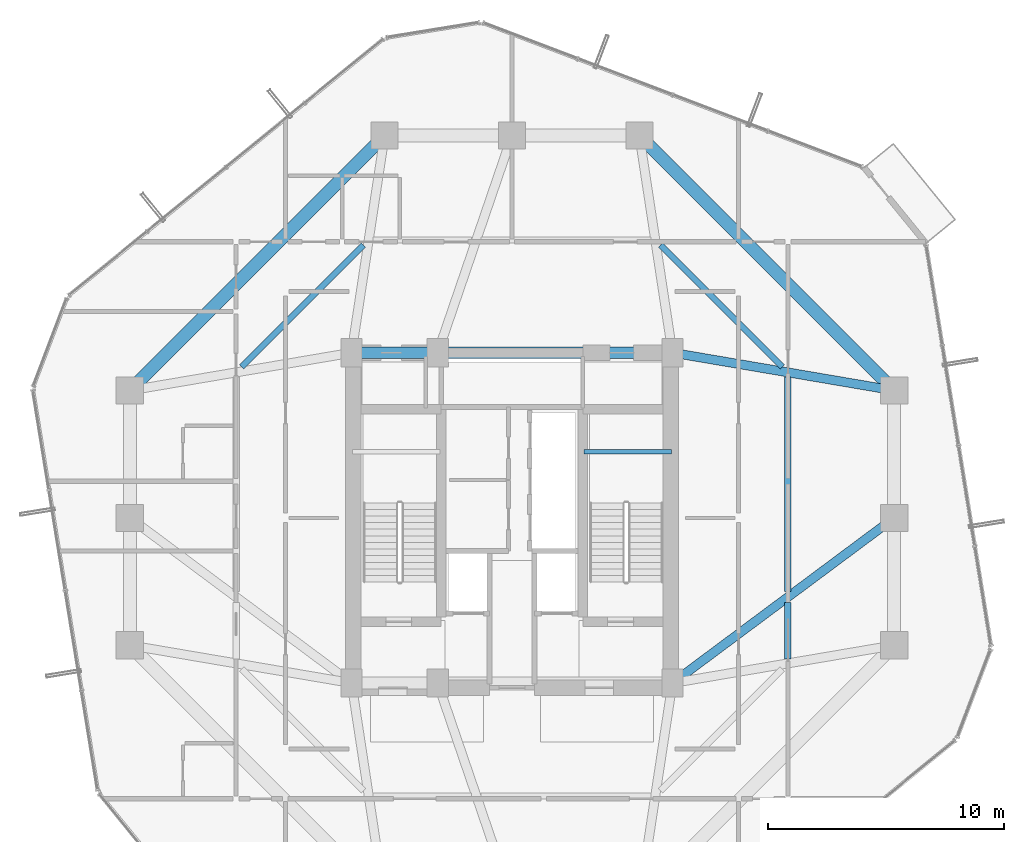
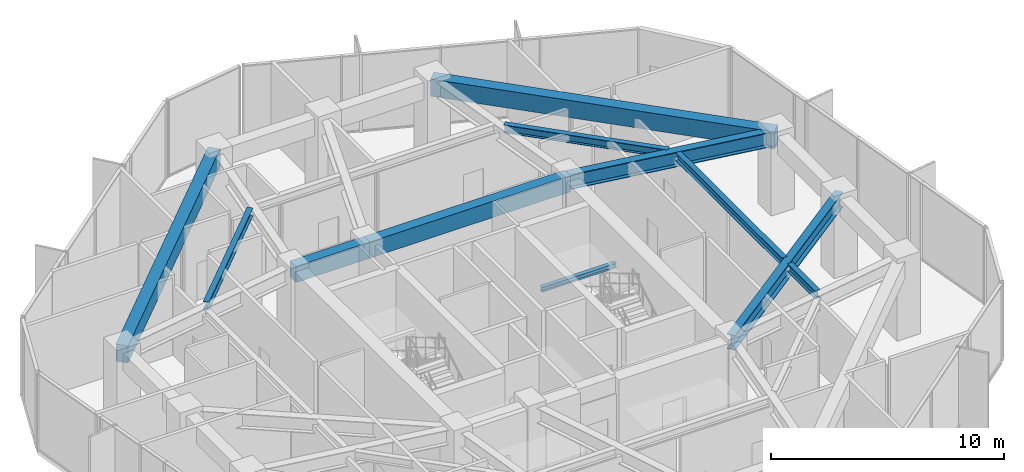
# One storey, part 11 of 26: 11 beams.
"""IFC4 building model written with IfcOpenShell, lengths in metres."""

from ifc_helpers import new_model, si_unit, direction, frame, origin, origin_2d, place, context, subcontext, project, spatial, rectangle, i_section, extrude, material, material_profile, profile_set, type_object, element, save


model = new_model("IFC4")

# Units and contexts
model_context = context("Model", 3, precision=1e-05, world=origin(), true_north=direction((0.0, 1.0)))
body_context = subcontext(model_context, "Body", "Model", "MODEL_VIEW")
ifc_project = project(units=[si_unit("LENGTHUNIT", "METRE"), si_unit("AREAUNIT", "SQUARE_METRE"), si_unit("VOLUMEUNIT", "CUBIC_METRE"), si_unit("PLANEANGLEUNIT", "RADIAN"), si_unit("MASSUNIT", "GRAM", prefix="KILO")], contexts=[model_context])

# Site, building, storey
site_placement = place(None, origin())
site = spatial("IfcSite", under=ifc_project, at=site_placement, CompositionType="ELEMENT")
building_placement = place(site_placement, origin())
building = spatial("IfcBuilding", under=site, at=building_placement, Name="Veraguas Prism Commons", CompositionType="ELEMENT")
storey_placement = place(building_placement, frame((0.0, 0.0, 158.75)))
storey = spatial("IfcBuildingStorey", under=building, at=storey_placement, Name="L45", CompositionType="ELEMENT", Elevation=158.75)

# Beams
ifc_material_1 = material(Name="Steel ASTM A992 Grade 50", Category="steel")
ifc_material_profile_1 = material_profile(ifc_material_1, i_section(OverallWidth=0.382080078125, OverallDepth=0.779052734375, WebThickness=0.01806640625, FlangeThickness=0.030029296875, at=origin_2d()), Name="W760X284")
ifc_profile_set_1 = profile_set([ifc_material_profile_1], Name="Steel ASTM A992 Grade 50")
beam_type_1 = type_object("IfcBeamType", Name="Assembly Primary Girder W760x284", PredefinedType="BEAM", material=ifc_profile_set_1)
beam_1_placement = place(storey_placement, frame((40.199951171875, 24.0, 3.660400390625), z_axis=(-0.802040137921, -0.597270137512, 0.0), x_axis=(0.597270137512, -0.802040137921, 0.0)))
element("IfcBeam", 1, at=beam_1_placement, inside=storey, type_object=beam_type_1, Name="Radial Floor Girder L45-RD02", PredefinedType="BEAM", context=body_context, shape_type="SweptSolid", body=[
    extrude(i_section(OverallWidth=0.382080078125, OverallDepth=0.779052734375, WebThickness=0.01806640625, FlangeThickness=0.030029296875, at=origin_2d()), origin(), (0.0, 0.0, 1.0), 11.719970703125),
])
beam_2_placement = place(storey_placement, frame((40.199951171875, 29.39990234375, 3.660400390625), z_axis=(-0.985819187151, 0.1678109956, 0.0), x_axis=(-0.1678109956, -0.985819187151, 0.0)))
element("IfcBeam", 2, at=beam_2_placement, inside=storey, type_object=beam_type_1, Name="Radial Floor Girder L45-RD03", PredefinedType="BEAM", context=body_context, shape_type="SweptSolid", body=[
    extrude(i_section(OverallWidth=0.382080078125, OverallDepth=0.779052734375, WebThickness=0.01806640625, FlangeThickness=0.030029296875, at=origin_2d()), origin(), (0.0, 0.0, 1.0), 9.53515625),
])
ifc_material_2 = material(Name="Concrete C50/60", Category="concrete")
ifc_material_profile_2 = material_profile(ifc_material_2, rectangle(XDim=0.5, YDim=0.85009765625, at=origin_2d()), Name="RC500X850")
ifc_profile_set_2 = profile_set([ifc_material_profile_2], Name="Concrete C50/60")
beam_type_2 = type_object("IfcBeamType", Name="Core Coupling Beam RC 500x850", PredefinedType="BEAM", material=ifc_profile_set_2)
beam_3_placement = place(storey_placement, frame((17.199951171875, 31.0, 3.625), z_axis=(1.0, 0.0, 0.0), x_axis=(0.0, 1.0, 0.0)))
element("IfcBeam", 3, at=beam_3_placement, inside=storey, type_object=beam_type_2, Name="Core Coupling Beam L45-CRN1", PredefinedType="BEAM", context=body_context, shape_type="SweptSolid", body=[
    extrude(rectangle(XDim=0.5, YDim=0.85009765625, at=origin_2d()), origin(), (0.0, 0.0, 1.0), 3.650146484375),
])
beam_4_placement = place(storey_placement, frame((20.85009765625, 31.0, 3.625), z_axis=(1.0, 0.0, 0.0), x_axis=(0.0, 1.0, 0.0)))
element("IfcBeam", 4, at=beam_4_placement, inside=storey, type_object=beam_type_2, Name="Core Coupling Beam L45-CRN2", PredefinedType="BEAM", context=body_context, shape_type="SweptSolid", body=[
    extrude(rectangle(XDim=0.5, YDim=0.85009765625, at=origin_2d()), origin(), (0.0, 0.0, 1.0), 9.949951171875),
])
ifc_material_profile_3 = material_profile(ifc_material_1, i_section(OverallWidth=0.260986328125, OverallDepth=0.419921875, WebThickness=0.01171875, FlangeThickness=0.019287109375, at=origin_2d()), Name="W410X114")
ifc_profile_set_3 = profile_set([ifc_material_profile_3], Name="Steel ASTM A992 Grade 50")
beam_type_3 = type_object("IfcBeamType", Name="Lower Floor Joist W410x114", PredefinedType="JOIST", material=ifc_profile_set_3)
beam_5_placement = place(storey_placement, frame((35.68798828125, 18.023681640625, 3.840087890625), z_axis=(0.0, 1.0, 0.0), x_axis=(-1.0, 0.0, 0.0)))
element("IfcBeam", 5, at=beam_5_placement, inside=storey, type_object=beam_type_3, Name="Composite Floor Joist L45-JS01", PredefinedType="JOIST", context=body_context, shape_type="SweptSolid", body=[
    extrude(i_section(OverallWidth=0.260986328125, OverallDepth=0.419921875, WebThickness=0.01171875, FlangeThickness=0.019287109375, at=origin_2d()), origin(), (0.0, 0.0, 1.0), 2.380615234375),
])
beam_6_placement = place(storey_placement, frame((35.68798828125, 20.87548828125, 3.840087890625), z_axis=(0.0, 1.0, 0.0), x_axis=(-1.0, 0.0, 0.0)))
element("IfcBeam", 6, at=beam_6_placement, inside=storey, type_object=beam_type_3, Name="Composite Floor Joist L45-JS02", PredefinedType="JOIST", context=body_context, shape_type="SweptSolid", body=[
    extrude(i_section(OverallWidth=0.260986328125, OverallDepth=0.419921875, WebThickness=0.01171875, FlangeThickness=0.019287109375, at=origin_2d()), origin(), (0.0, 0.0, 1.0), 9.100830078125),
])
for number, where, z_axis, x_axis, name in (
    (7, (35.45703125, 30.39892578125, 3.840087890625), (-0.707090051465, 0.707123510512, 0.0), (-0.707123510512, -0.707090051465, 0.0), "Composite Floor Joist L45-JS03"),
    (8, (17.702392578125, 35.55859375, 3.840087890625), (-0.707090051465, -0.707123510512, 0.0), (0.707123510512, -0.707090051465, 0.0), "Composite Floor Joist L45-JS06"),
):
    element("IfcBeam", number, at=place(storey_placement, frame(where, z_axis=z_axis, x_axis=x_axis)), inside=storey, type_object=beam_type_3, Name=name, PredefinedType="JOIST", context=body_context, shape_type="SweptSolid", body=[
        extrude(i_section(OverallWidth=0.260986328125, OverallDepth=0.419921875, WebThickness=0.01171875, FlangeThickness=0.019287109375, at=origin_2d()), origin(), (0.0, 0.0, 1.0), 7.296630859375),
    ])
ifc_material_profile_4 = material_profile(ifc_material_2, rectangle(XDim=0.550048828125, YDim=0.89990234375, at=origin_2d()), Name="RC550X900")
ifc_profile_set_4 = profile_set([ifc_material_profile_4], Name="Concrete C50/60")
beam_type_4 = type_object("IfcBeamType", Name="Perimeter Spandrel Lower RC 550x900", PredefinedType="SPANDREL", material=ifc_profile_set_4)
for number, where, z_axis, x_axis, name in (
    (9, (40.199951171875, 29.39990234375, 3.60009765625), (-0.707106781187, 0.707106781187, 0.0), (-0.707106781187, -0.707106781187, 0.0), "Perimeter Spandrel Beam L45-SP03"),
    (10, (18.60009765625, 40.199951171875, 3.60009765625), (-0.707106781187, -0.707106781187, 0.0), (0.707106781187, -0.707106781187, 0.0), "Perimeter Spandrel Beam L45-SP06"),
):
    element("IfcBeam", number, at=place(storey_placement, frame(where, z_axis=z_axis, x_axis=x_axis)), inside=storey, type_object=beam_type_4, Name=name, PredefinedType="SPANDREL", context=body_context, shape_type="SweptSolid", body=[
        extrude(rectangle(XDim=0.550048828125, YDim=0.89990234375, at=origin_2d()), origin(), (0.0, 0.0, 1.0), 15.273681640625),
    ])
ifc_material_profile_5 = material_profile(ifc_material_1, i_section(OverallWidth=0.202880859375, OverallDepth=0.251953125, WebThickness=0.008056640625, FlangeThickness=0.013427734375, at=origin_2d()), Name="W250X58")
ifc_profile_set_5 = profile_set([ifc_material_profile_5], Name="Steel ASTM A992 Grade 50")
beam_type_5 = type_object("IfcBeamType", Name="Structural Opening Lintel W250x58", PredefinedType="LINTEL", material=ifc_profile_set_5)
beam_7_placement = place(storey_placement, frame((27.050048828125, 26.800048828125, 1.823974609375), z_axis=(1.0, 0.0, 0.0), x_axis=(0.0, 1.0, 0.0)))
element("IfcBeam", 11, at=beam_7_placement, inside=storey, type_object=beam_type_5, Name="Stair ST-02 Half-Landing Support Beam L45-1", PredefinedType="LINTEL", context=body_context, shape_type="SweptSolid", body=[
    extrude(i_section(OverallWidth=0.202880859375, OverallDepth=0.251953125, WebThickness=0.008056640625, FlangeThickness=0.013427734375, at=origin_2d()), origin(), (0.0, 0.0, 1.0), 3.699951171875),
])

save(model, "model.ifc")
